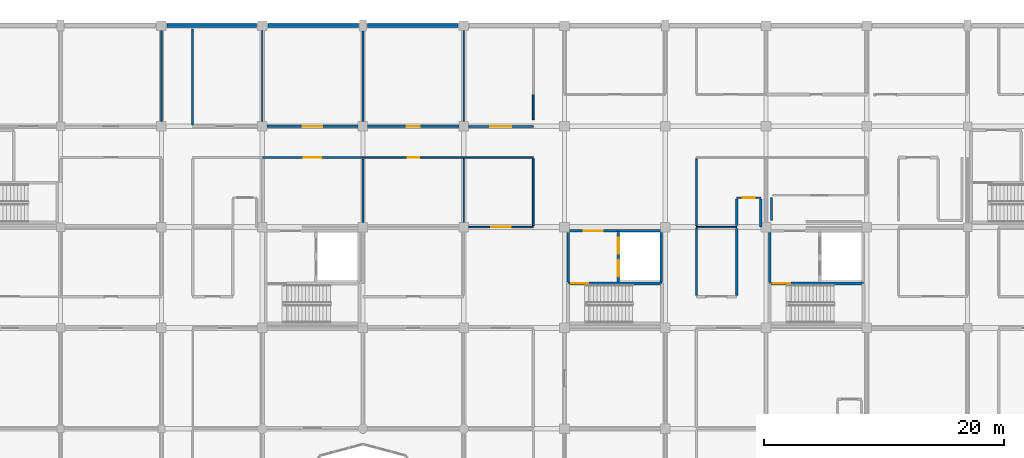
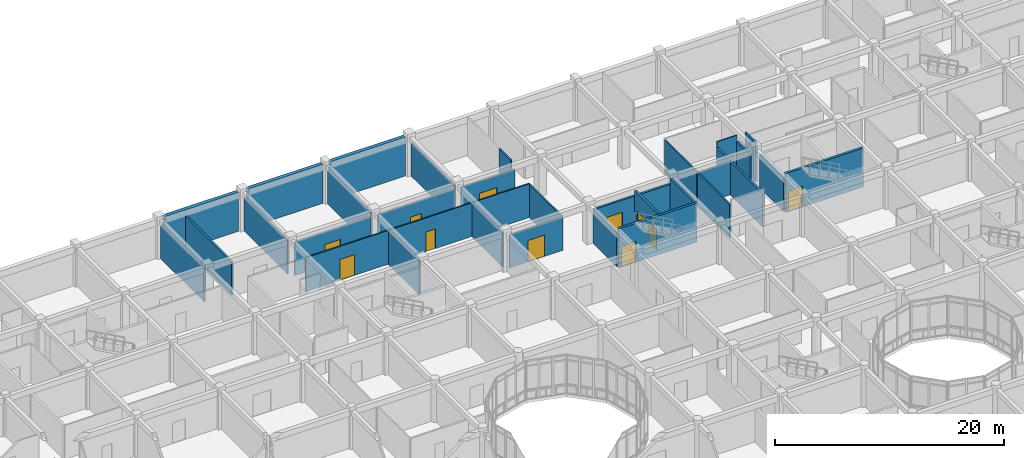
# One storey, part 114 of 144: 35 walls, 12 doors, 12 openings.
"""IFC4 building model written with IfcOpenShell, lengths in metres."""

from ifc_helpers import new_model, si_unit, direction, frame, frame_2d, origin, place, context, subcontext, project, spatial, rectangle, extrude, material, layer, layer_set, type_object, element, fill, save


model = new_model("IFC4")

# Units and contexts
model_context = context("Model", 3, precision=1e-05, world=origin(), true_north=direction((0.0, 1.0)))
body_context = subcontext(model_context, "Body", "Model", "MODEL_VIEW")
ifc_project = project(units=[si_unit("LENGTHUNIT", "METRE"), si_unit("AREAUNIT", "SQUARE_METRE"), si_unit("VOLUMEUNIT", "CUBIC_METRE"), si_unit("PLANEANGLEUNIT", "RADIAN"), si_unit("MASSUNIT", "GRAM", prefix="KILO")], contexts=[model_context])

# Site, building, storey
site_placement = place(None, origin())
site = spatial("IfcSite", under=ifc_project, at=site_placement, CompositionType="ELEMENT")
building_placement = place(site_placement, origin())
building = spatial("IfcBuilding", under=site, at=building_placement, Name="Bramfleet General Hospital", CompositionType="ELEMENT")
storey_placement = place(building_placement, frame((0.0, 0.0, 4.800048828125)))
storey = spatial("IfcBuildingStorey", under=building, at=storey_placement, Name="L01", CompositionType="ELEMENT", Elevation=4.800048828125)

# Walls
ifc_material_1 = material(Name="Concrete C35/45", Category="concrete")
ifc_layer_1 = layer(ifc_material_1, 0.360107421875, Name="WT-EW-02")
ifc_layer_set_1 = layer_set([ifc_layer_1], Name="Concrete C35/45")
wall_type_1 = type_object("IfcWallType", Name="WT-EW-02", PredefinedType="SOLIDWALL", material=ifc_layer_set_1)
wall_1_placement = place(storey_placement, frame((67.675048828125, 117.60009765625, 0.0), z_axis=(0.0, 0.0, 1.0), x_axis=(1.0, 0.0, 0.0)))
element("IfcWall", 1, at=wall_1_placement, inside=storey, type_object=wall_type_1, Name="L01 North REI 90-M Party Wall 164", PredefinedType="SOLIDWALL", context=body_context, shape_type="SweptSolid", body=[
    extrude(rectangle(XDim=7.449951171875, YDim=0.360107421875, at=frame_2d((3.72509765625, 0.0))), origin(), (0.0, 0.0, 1.0), 4.14990234375),
])
for number, where, z_axis, x_axis, name in (
    (2, (76.074951171875, 117.60009765625, 0.0), (0.0, 0.0, 1.0), (1.0, 0.0, 0.0), "L01 North REI 90-M Party Wall 165"),
    (3, (84.375, 117.60009765625, 0.0), (0.0, 0.0, 1.0), (1.0, 0.0, 0.0), "L01 North REI 90-M Party Wall 166"),
):
    element("IfcWall", number, at=place(storey_placement, frame(where, z_axis=z_axis, x_axis=x_axis)), inside=storey, type_object=wall_type_1, Name=name, PredefinedType="SOLIDWALL", context=body_context, shape_type="SweptSolid", body=[
        extrude(rectangle(XDim=7.550048828125, YDim=0.360107421875, at=frame_2d((3.77490234375, 0.0))), origin(), (0.0, 0.0, 1.0), 4.14990234375),
    ])
ifc_layer_2 = layer(ifc_material_1, 0.219970703125, Name="WT-IW-01")
ifc_layer_set_2 = layer_set([ifc_layer_2], Name="Concrete C35/45")
wall_type_2 = type_object("IfcWallType", Name="WT-IW-01", PredefinedType="PARTITIONING", material=ifc_layer_set_2)
wall_2_placement = place(storey_placement, frame((115.14990234375, 95.114990234375, 0.0), z_axis=(0.0, 0.0, 1.0), x_axis=(0.0, 1.0, 0.0)))
element("IfcWall", 4, at=wall_2_placement, inside=storey, type_object=wall_type_2, Name="L01 Interior Partition IW-L01-1837", PredefinedType="PARTITIONING", context=body_context, shape_type="SweptSolid", body=[
    extrude(rectangle(XDim=5.570068359375, YDim=0.219970703125, at=frame_2d((2.78515625, 0.0))), origin(), (0.0, 0.0, 1.0), 3.5400390625),
])

# Wall, openings, doors
ifc_layer_3 = layer(ifc_material_1, 0.205078125, Name="WT-IW-02")
ifc_layer_set_3 = layer_set([ifc_layer_3], Name="Concrete C35/45")
wall_type_3 = type_object("IfcWallType", Name="WT-IW-02", PredefinedType="PARTITIONING", material=ifc_layer_set_3)
wall_3_placement = place(storey_placement, frame((105.280029296875, 96.239990234375, 0.0), z_axis=(0.0, 0.0, 1.0), x_axis=(0.0, 1.0, 0.0)))
wall_3 = element("IfcWall", 5, at=wall_3_placement, inside=storey, type_object=wall_type_3, Name="L01 C4 Lobby East Shaft Wall", PredefinedType="PARTITIONING", context=body_context, shape_type="SweptSolid", body=[
    extrude(rectangle(XDim=4.1201171875, YDim=0.205078125, at=frame_2d((2.06005859375, 0.0))), origin(), (0.0, 0.0, 1.0), 4.139892578125),
])
opening_1_placement = place(wall_3_placement, frame((0.445068359375, 0.0, 0.0)))
opening_1 = element("IfcOpeningElement", 6, at=opening_1_placement, cuts=wall_3, Name="Opening LD-FL-02-L01", PredefinedType="OPENING", context=body_context, shape_type="SweptSolid", body=[
    extrude(rectangle(XDim=1.35009765625, YDim=2.199951171875, at=frame_2d((0.675048828125, 1.10009765625))), frame((0.0, 0.112548828125, 0.0), z_axis=(0.0, -1.0, 0.0), x_axis=(1.0, 0.0, 0.0)), (0.0, 0.0, 1.0), 0.22509765625),
])
opening_2_placement = place(wall_3_placement, frame((2.324951171875, 0.0, 0.0)))
opening_2 = element("IfcOpeningElement", 7, at=opening_2_placement, cuts=wall_3, Name="Opening LD-BL-04-L01", PredefinedType="OPENING", context=body_context, shape_type="SweptSolid", body=[
    extrude(rectangle(XDim=1.35009765625, YDim=2.199951171875, at=frame_2d((0.675048828125, 1.10009765625))), frame((0.0, 0.112548828125, 0.0), z_axis=(0.0, -1.0, 0.0), x_axis=(1.0, 0.0, 0.0)), (0.0, 0.0, 1.0), 0.22509765625),
])
ifc_material_2 = material(Name="Brushed stainless steel 1.4301", Category="steel")
door_type_1 = type_object("IfcDoorType", Name="DR-LD-01", OperationType="NOTDEFINED", PredefinedType="DOOR", material=ifc_material_2)
door_1_placement = place(opening_1_placement, origin())
door_1 = element("IfcDoor", 8, at=door_1_placement, inside=storey, type_object=door_type_1, Name="L01 Lift FL-02 Sliding Landing Door", OperationType="SLIDING_TO_LEFT", OverallHeight=2.199951171875, OverallWidth=1.35009765625, PredefinedType="DOOR", context=body_context, shape_type="SweptSolid", body=[
    extrude(rectangle(XDim=1.35009765625, YDim=2.199951171875, at=frame_2d((0.675048828125, 1.10009765625))), frame((0.0, 0.02490234375, 0.0), z_axis=(0.0, -1.0, 0.0), x_axis=(1.0, 0.0, 0.0)), (0.0, 0.0, 1.0), 0.050048828125),
])
fill(opening_1, door_1)
door_2_placement = place(opening_2_placement, origin())
door_2 = element("IfcDoor", 9, at=door_2_placement, inside=storey, type_object=door_type_1, Name="L01 Lift BL-04 Sliding Landing Door", OperationType="SLIDING_TO_LEFT", OverallHeight=2.199951171875, OverallWidth=1.35009765625, PredefinedType="DOOR", context=body_context, shape_type="SweptSolid", body=[
    extrude(rectangle(XDim=1.35009765625, YDim=2.199951171875, at=frame_2d((0.675048828125, 1.10009765625))), frame((0.0, 0.02490234375, 0.0), z_axis=(0.0, -1.0, 0.0), x_axis=(1.0, 0.0, 0.0)), (0.0, 0.0, 1.0), 0.050048828125),
])
fill(opening_2, door_2)

# Walls
wall_4_placement = place(storey_placement, frame((108.85009765625, 96.239990234375, 0.0), z_axis=(0.0, 0.0, 1.0), x_axis=(0.0, 1.0, 0.0)))
element("IfcWall", 10, at=wall_4_placement, inside=storey, type_object=wall_type_3, Name="L01 C4 Lift Shaft East Wall", PredefinedType="PARTITIONING", context=body_context, shape_type="SweptSolid", body=[
    extrude(rectangle(XDim=4.1201171875, YDim=0.205078125, at=frame_2d((2.06005859375, 0.0))), origin(), (0.0, 0.0, 1.0), 4.139892578125),
])
wall_5_placement = place(storey_placement, frame((105.280029296875, 100.47998046875, 0.0), z_axis=(0.0, 0.0, 1.0), x_axis=(1.0, 0.0, 0.0)))
element("IfcWall", 11, at=wall_5_placement, inside=storey, type_object=wall_type_3, Name="L01 C4 Lift Shaft North Wall", PredefinedType="PARTITIONING", context=body_context, shape_type="SweptSolid", body=[
    extrude(rectangle(XDim=3.570068359375, YDim=0.205078125, at=frame_2d((1.78515625, 0.0))), origin(), (0.0, 0.0, 1.0), 3.5400390625),
])
wall_6_placement = place(storey_placement, frame((101.10009765625, 96.239990234375, 0.0), z_axis=(0.0, 0.0, 1.0), x_axis=(0.0, 1.0, 0.0)))
element("IfcWall", 12, at=wall_6_placement, inside=storey, type_object=wall_type_3, Name="L01 C4 Lobby West Compartment Wall", PredefinedType="PARTITIONING", context=body_context, shape_type="SweptSolid", body=[
    extrude(rectangle(XDim=4.1201171875, YDim=0.205078125, at=frame_2d((2.06005859375, 0.0))), origin(), (0.0, 0.0, 1.0), 3.58984375),
])

# Wall, opening, door
wall_7_placement = place(storey_placement, frame((101.10009765625, 100.47998046875, 0.0), z_axis=(0.0, 0.0, 1.0), x_axis=(1.0, 0.0, 0.0)))
wall_7 = element("IfcWall", 13, at=wall_7_placement, inside=storey, type_object=wall_type_3, Name="L01 C4 Lobby North Compartment Wall", PredefinedType="PARTITIONING", context=body_context, shape_type="SweptSolid", body=[
    extrude(rectangle(XDim=4.179931640625, YDim=0.205078125, at=frame_2d((2.08984375, 0.0))), origin(), (0.0, 0.0, 1.0), 3.5400390625),
])
opening_3_placement = place(wall_7_placement, frame((1.2900390625, 0.0, 0.0)))
opening_3 = element("IfcOpeningElement", 14, at=opening_3_placement, cuts=wall_7, Name="Opening D0042", PredefinedType="OPENING", context=body_context, shape_type="SweptSolid", body=[
    extrude(rectangle(XDim=1.60009765625, YDim=2.25, at=frame_2d((0.800048828125, 1.125))), frame((0.0, 0.112548828125, 0.0), z_axis=(0.0, -1.0, 0.0), x_axis=(1.0, 0.0, 0.0)), (0.0, 0.0, 1.0), 0.22509765625),
])
ifc_material_3 = material(Name="Stainless steel and acoustic timber leaf", Category="steel")
door_type_2 = type_object("IfcDoorType", Name="DR-D-04", OperationType="NOTDEFINED", PredefinedType="DOOR", material=ifc_material_3)
door_3_placement = place(opening_3_placement, origin())
door_3 = element("IfcDoor", 15, at=door_3_placement, inside=storey, type_object=door_type_2, Name="L01 C4 Lobby Fire Door D0042", OperationType="DOUBLE_SWING_LEFT", OverallHeight=2.25, OverallWidth=1.60009765625, PredefinedType="DOOR", context=body_context, shape_type="SweptSolid", body=[
    extrude(rectangle(XDim=1.60009765625, YDim=2.25, at=frame_2d((0.800048828125, 1.125))), frame((0.0, 0.02490234375, 0.0), z_axis=(0.0, -1.0, 0.0), x_axis=(1.0, 0.0, 0.0)), (0.0, 0.0, 1.0), 0.050048828125),
])
fill(opening_3, door_3)

# Wall
wall_8_placement = place(storey_placement, frame((117.89990234375, 96.239990234375, 0.0), z_axis=(0.0, 0.0, 1.0), x_axis=(0.0, 1.0, 0.0)))
element("IfcWall", 16, at=wall_8_placement, inside=storey, type_object=wall_type_3, Name="L01 C6 Lobby West Compartment Wall", PredefinedType="PARTITIONING", context=body_context, shape_type="SweptSolid", body=[
    extrude(rectangle(XDim=4.1201171875, YDim=0.205078125, at=frame_2d((2.06005859375, 0.0))), origin(), (0.0, 0.0, 1.0), 3.58984375),
])

# Wall, opening, door
wall_9_placement = place(storey_placement, frame((75.9951171875, 109.199951171875, 0.0), z_axis=(0.0, 0.0, 1.0), x_axis=(1.0, 0.0, 0.0)))
wall_9 = element("IfcWall", 17, at=wall_9_placement, inside=storey, type_object=wall_type_3, Name="L01 Interior Partition IW-L01-1562", PredefinedType="PARTITIONING", context=body_context, shape_type="SweptSolid", body=[
    extrude(rectangle(XDim=7.60986328125, YDim=0.205078125, at=frame_2d((3.804931640625, 0.0))), origin(), (0.0, 0.0, 1.0), 3.5400390625),
])
opening_4_placement = place(wall_9_placement, frame((3.0048828125, 0.0, 0.0)))
opening_4 = element("IfcOpeningElement", 18, at=opening_4_placement, cuts=wall_9, Name="Opening D0740", PredefinedType="OPENING", context=body_context, shape_type="SweptSolid", body=[
    extrude(rectangle(XDim=1.60009765625, YDim=2.25, at=frame_2d((0.800048828125, 1.125))), frame((0.0, 0.112548828125, 0.0), z_axis=(0.0, -1.0, 0.0), x_axis=(1.0, 0.0, 0.0)), (0.0, 0.0, 1.0), 0.22509765625),
])
door_4_placement = place(opening_4_placement, origin())
door_4 = element("IfcDoor", 19, at=door_4_placement, inside=storey, type_object=door_type_2, Name="Pathology and Clinical Laboratory L01-0913A Door D0740", OperationType="DOUBLE_SWING_LEFT", OverallHeight=2.25, OverallWidth=1.60009765625, PredefinedType="DOOR", context=body_context, shape_type="SweptSolid", body=[
    extrude(rectangle(XDim=1.60009765625, YDim=2.25, at=frame_2d((0.800048828125, 1.125))), frame((0.0, 0.02490234375, 0.0), z_axis=(0.0, -1.0, 0.0), x_axis=(1.0, 0.0, 0.0)), (0.0, 0.0, 1.0), 0.050048828125),
])
fill(opening_4, door_4)

# Wall
wall_10_placement = place(storey_placement, frame((115.14990234375, 100.9150390625, 0.0), z_axis=(0.0, 0.0, 1.0), x_axis=(0.0, 1.0, 0.0)))
element("IfcWall", 20, at=wall_10_placement, inside=storey, type_object=wall_type_3, Name="L01 Interior Partition IW-L01-1838", PredefinedType="PARTITIONING", context=body_context, shape_type="SweptSolid", body=[
    extrude(rectangle(XDim=2.219970703125, YDim=0.205078125, at=frame_2d((1.10986328125, 0.0))), origin(), (0.0, 0.0, 1.0), 3.5400390625),
])

# Wall, opening, door
ifc_layer_4 = layer(ifc_material_1, 0.18994140625, Name="WT-IW-03")
ifc_layer_set_4 = layer_set([ifc_layer_4], Name="Concrete C35/45")
wall_type_4 = type_object("IfcWallType", Name="WT-IW-03", PredefinedType="PARTITIONING", material=ifc_layer_set_4)
wall_11_placement = place(storey_placement, frame((84.39501953125, 109.199951171875, 0.0), z_axis=(0.0, 0.0, 1.0), x_axis=(1.0, 0.0, 0.0)))
wall_11 = element("IfcWall", 21, at=wall_11_placement, inside=storey, type_object=wall_type_4, Name="L01 Interior Partition IW-L01-1563", PredefinedType="PARTITIONING", context=body_context, shape_type="SweptSolid", body=[
    extrude(rectangle(XDim=7.60986328125, YDim=0.18994140625, at=frame_2d((3.804931640625, 0.0))), origin(), (0.0, 0.0, 1.0), 3.5400390625),
])
opening_5_placement = place(wall_11_placement, frame((3.2548828125, 0.0, 0.0)))
opening_5 = element("IfcOpeningElement", 22, at=opening_5_placement, cuts=wall_11, Name="Opening D0747", PredefinedType="OPENING", context=body_context, shape_type="SweptSolid", body=[
    extrude(rectangle(XDim=1.10009765625, YDim=2.14990234375, at=frame_2d((0.550048828125, 1.074951171875))), frame((0.0, 0.10498046875, 0.0), z_axis=(0.0, -1.0, 0.0), x_axis=(1.0, 0.0, 0.0)), (0.0, 0.0, 1.0), 0.2099609375),
])
door_type_3 = type_object("IfcDoorType", Name="DR-D-11", OperationType="NOTDEFINED", PredefinedType="DOOR", material=ifc_material_3)
door_5_placement = place(opening_5_placement, origin())
door_5 = element("IfcDoor", 23, at=door_5_placement, inside=storey, type_object=door_type_3, Name="Pathology and Clinical Laboratory L01-1013A Door D0747", OperationType="SINGLE_SWING_RIGHT", OverallHeight=2.14990234375, OverallWidth=1.10009765625, PredefinedType="DOOR", context=body_context, shape_type="SweptSolid", body=[
    extrude(rectangle(XDim=1.10009765625, YDim=2.14990234375, at=frame_2d((0.550048828125, 1.074951171875))), frame((0.0, 0.02490234375, 0.0), z_axis=(0.0, -1.0, 0.0), x_axis=(1.0, 0.0, 0.0)), (0.0, 0.0, 1.0), 0.050048828125),
])
fill(opening_5, door_5)

# Walls
wall_12_placement = place(storey_placement, frame((69.800048828125, 109.31494140625, 0.0), z_axis=(0.0, 0.0, 1.0), x_axis=(0.0, 1.0, 0.0)))
element("IfcWall", 24, at=wall_12_placement, inside=storey, type_object=wall_type_4, Name="L01 Interior Partition IW-L01-1779", PredefinedType="PARTITIONING", context=body_context, shape_type="SweptSolid", body=[
    extrude(rectangle(XDim=8.005126953125, YDim=0.18994140625, at=frame_2d((4.00244140625, 0.0))), origin(), (0.0, 0.0, 1.0), 3.5400390625),
])
wall_13_placement = place(storey_placement, frame((117.14990234375, 100.800048828125, 0.0), z_axis=(0.0, 0.0, 1.0), x_axis=(0.0, 1.0, 0.0)))
element("IfcWall", 25, at=wall_13_placement, inside=storey, type_object=wall_type_4, Name="L01 Interior Partition IW-L01-1839", PredefinedType="PARTITIONING", context=body_context, shape_type="SweptSolid", body=[
    extrude(rectangle(XDim=2.3349609375, YDim=0.18994140625, at=frame_2d((1.16748046875, 0.0))), origin(), (0.0, 0.0, 1.0), 3.5400390625),
])

# Wall, opening, door
ifc_layer_5 = layer(ifc_material_1, 0.179931640625, Name="WT-IW-04")
ifc_layer_set_5 = layer_set([ifc_layer_5], Name="Concrete C35/45")
wall_type_5 = type_object("IfcWallType", Name="WT-IW-04", PredefinedType="PARTITIONING", material=ifc_layer_set_5)
wall_14_placement = place(storey_placement, frame((92.794921875, 109.199951171875, 0.0), z_axis=(0.0, 0.0, 1.0), x_axis=(1.0, 0.0, 0.0)))
wall_14 = element("IfcWall", 26, at=wall_14_placement, inside=storey, type_object=wall_type_5, Name="L01 Interior Partition IW-L01-1564", PredefinedType="PARTITIONING", context=body_context, shape_type="SweptSolid", body=[
    extrude(rectangle(XDim=5.405029296875, YDim=0.179931640625, at=frame_2d((2.70263671875, 0.0))), origin(), (0.0, 0.0, 1.0), 3.5400390625),
])
opening_6_placement = place(wall_14_placement, frame((1.83251953125, 0.0, 0.0)))
opening_6 = element("IfcOpeningElement", 27, at=opening_6_placement, cuts=wall_14, Name="Opening D0755", PredefinedType="OPENING", context=body_context, shape_type="SweptSolid", body=[
    extrude(rectangle(XDim=1.739990234375, YDim=2.239990234375, at=frame_2d((0.8701171875, 1.1201171875))), frame((0.0, 0.099853515625, 0.0), z_axis=(0.0, -1.0, 0.0), x_axis=(1.0, 0.0, 0.0)), (0.0, 0.0, 1.0), 0.199951171875),
])
door_type_4 = type_object("IfcDoorType", Name="DR-D-19", OperationType="NOTDEFINED", PredefinedType="DOOR", material=ifc_material_3)
door_6_placement = place(opening_6_placement, origin())
door_6 = element("IfcDoor", 28, at=door_6_placement, inside=storey, type_object=door_type_4, Name="Pathology and Clinical Laboratory L01-1113A Door D0755", OperationType="DOUBLE_SWING_RIGHT", OverallHeight=2.239990234375, OverallWidth=1.739990234375, PredefinedType="DOOR", context=body_context, shape_type="SweptSolid", body=[
    extrude(rectangle(XDim=1.739990234375, YDim=2.239990234375, at=frame_2d((0.8701171875, 1.1201171875))), frame((0.0, 0.02490234375, 0.0), z_axis=(0.0, -1.0, 0.0), x_axis=(1.0, 0.0, 0.0)), (0.0, 0.0, 1.0), 0.050048828125),
])
fill(opening_6, door_6)

# Walls
wall_15_placement = place(storey_placement, frame((84.0, 101.195068359375, 0.0), z_axis=(0.0, 0.0, 1.0), x_axis=(0.0, 1.0, 0.0)))
element("IfcWall", 29, at=wall_15_placement, inside=storey, type_object=wall_type_5, Name="L01 Interior Partition IW-L01-1792", PredefinedType="PARTITIONING", context=body_context, shape_type="SweptSolid", body=[
    extrude(rectangle(XDim=5.2900390625, YDim=0.179931640625, at=frame_2d((2.64501953125, 0.0))), origin(), (0.0, 0.0, 1.0), 3.58984375),
])
wall_16_placement = place(storey_placement, frame((118.050048828125, 101.364990234375, 0.0), z_axis=(0.0, 0.0, 1.0), x_axis=(0.0, 1.0, 0.0)))
element("IfcWall", 30, at=wall_16_placement, inside=storey, type_object=wall_type_5, Name="L01 Interior Partition IW-L01-1852", PredefinedType="PARTITIONING", context=body_context, shape_type="SweptSolid", body=[
    extrude(rectangle(XDim=1.885009765625, YDim=0.179931640625, at=frame_2d((0.9423828125, 0.0))), origin(), (0.0, 0.0, 1.0), 4.139892578125),
])
ifc_material_4 = material(Name="Gypsum plasterboard on acoustic steel studs", Category="steel")
ifc_layer_6 = layer(ifc_material_4, 0.169921875, Name="WT-IW-05")
ifc_layer_set_6 = layer_set([ifc_layer_6], Name="Gypsum plasterboard on acoustic steel studs")
wall_type_6 = type_object("IfcWallType", Name="WT-IW-05", PredefinedType="PARTITIONING", material=ifc_layer_set_6)
wall_17_placement = place(storey_placement, frame((84.0, 109.594970703125, 0.0), z_axis=(0.0, 0.0, 1.0), x_axis=(0.0, 1.0, 0.0)))
element("IfcWall", 31, at=wall_17_placement, inside=storey, type_object=wall_type_6, Name="L01 Interior Partition IW-L01-1793", PredefinedType="PARTITIONING", context=body_context, shape_type="SweptSolid", body=[
    extrude(rectangle(XDim=7.56005859375, YDim=0.169921875, at=frame_2d((3.780029296875, 0.0))), origin(), (0.0, 0.0, 1.0), 3.58984375),
])
ifc_layer_7 = layer(ifc_material_4, 0.14990234375, Name="WT-IW-07")
ifc_layer_set_7 = layer_set([ifc_layer_7], Name="Gypsum plasterboard on acoustic steel studs")
wall_type_7 = type_object("IfcWallType", Name="WT-IW-07", PredefinedType="PARTITIONING", material=ifc_layer_set_7)
for number, where, z_axis, x_axis, name in (
    (32, (98.199951171875, 100.9150390625, 0.0), (0.0, 0.0, 1.0), (0.0, 1.0, 0.0), "L01 Interior Partition IW-L01-1807"),
    (33, (111.800048828125, 95.114990234375, 0.0), (0.0, 0.0, 1.0), (0.0, 1.0, 0.0), "L01 Interior Partition IW-L01-1831"),
):
    element("IfcWall", number, at=place(storey_placement, frame(where, z_axis=z_axis, x_axis=x_axis)), inside=storey, type_object=wall_type_7, Name=name, PredefinedType="PARTITIONING", context=body_context, shape_type="SweptSolid", body=[
        extrude(rectangle(XDim=5.570068359375, YDim=0.14990234375, at=frame_2d((2.78515625, 0.0))), origin(), (0.0, 0.0, 1.0), 3.5400390625),
    ])

# Wall, opening, door
ifc_layer_8 = layer(ifc_material_4, 0.139892578125, Name="WT-IW-08")
ifc_layer_set_8 = layer_set([ifc_layer_8], Name="Gypsum plasterboard on acoustic steel studs")
wall_type_8 = type_object("IfcWallType", Name="WT-IW-08", PredefinedType="PARTITIONING", material=ifc_layer_set_8)
wall_18_placement = place(storey_placement, frame((75.60009765625, 106.60009765625, 0.0), z_axis=(0.0, 0.0, 1.0), x_axis=(1.0, 0.0, 0.0)))
wall_18 = element("IfcWall", 34, at=wall_18_placement, inside=storey, type_object=wall_type_8, Name="L01 Interior Partition IW-L01-1544", PredefinedType="PARTITIONING", context=body_context, shape_type="SweptSolid", body=[
    extrude(rectangle(XDim=8.39990234375, YDim=0.139892578125, at=frame_2d((4.199951171875, 0.0))), origin(), (0.0, 0.0, 1.0), 3.58984375),
])
opening_7_placement = place(wall_18_placement, frame((3.47509765625, 0.0, 0.0)))
opening_7 = element("IfcOpeningElement", 35, at=opening_7_placement, cuts=wall_18, Name="Opening D0739", PredefinedType="OPENING", context=body_context, shape_type="SweptSolid", body=[
    extrude(rectangle(XDim=1.449951171875, YDim=2.199951171875, at=frame_2d((0.72509765625, 1.10009765625))), frame((0.0, 0.079833984375, 0.0), z_axis=(0.0, -1.0, 0.0), x_axis=(1.0, 0.0, 0.0)), (0.0, 0.0, 1.0), 0.159912109375),
])
door_type_5 = type_object("IfcDoorType", Name="DR-D-03", OperationType="NOTDEFINED", PredefinedType="DOOR", material=ifc_material_3)
door_7_placement = place(opening_7_placement, origin())
door_7 = element("IfcDoor", 36, at=door_7_placement, inside=storey, type_object=door_type_5, Name="Pathology and Clinical Laboratory L01-0912A Door D0739", OperationType="SINGLE_SWING_RIGHT", OverallHeight=2.199951171875, OverallWidth=1.449951171875, PredefinedType="DOOR", context=body_context, shape_type="SweptSolid", body=[
    extrude(rectangle(XDim=1.449951171875, YDim=2.199951171875, at=frame_2d((0.72509765625, 1.10009765625))), frame((0.0, 0.02490234375, 0.0), z_axis=(0.0, -1.0, 0.0), x_axis=(1.0, 0.0, 0.0)), (0.0, 0.0, 1.0), 0.050048828125),
])
fill(opening_7, door_7)

# Walls
wall_19_placement = place(storey_placement, frame((67.199951171875, 109.594970703125, 0.0), z_axis=(0.0, 0.0, 1.0), x_axis=(0.0, 1.0, 0.0)))
element("IfcWall", 37, at=wall_19_placement, inside=storey, type_object=wall_type_8, Name="L01 Interior Partition IW-L01-1772", PredefinedType="PARTITIONING", context=body_context, shape_type="SweptSolid", body=[
    extrude(rectangle(XDim=7.610107421875, YDim=0.139892578125, at=frame_2d((3.80517578125, 0.0))), origin(), (0.0, 0.0, 1.0), 3.58984375),
])
wall_20_placement = place(storey_placement, frame((98.199951171875, 109.75, 0.0), z_axis=(0.0, 0.0, 1.0), x_axis=(0.0, 1.0, 0.0)))
element("IfcWall", 38, at=wall_20_placement, inside=storey, type_object=wall_type_8, Name="L01 Interior Partition IW-L01-1808", PredefinedType="PARTITIONING", context=body_context, shape_type="SweptSolid", body=[
    extrude(rectangle(XDim=2.10009765625, YDim=0.139892578125, at=frame_2d((1.050048828125, 0.0))), origin(), (0.0, 0.0, 1.0), 4.139892578125),
])
wall_21_placement = place(storey_placement, frame((111.800048828125, 100.9150390625, 0.0), z_axis=(0.0, 0.0, 1.0), x_axis=(0.0, 1.0, 0.0)))
element("IfcWall", 39, at=wall_21_placement, inside=storey, type_object=wall_type_8, Name="L01 Interior Partition IW-L01-1832", PredefinedType="PARTITIONING", context=body_context, shape_type="SweptSolid", body=[
    extrude(rectangle(XDim=5.570068359375, YDim=0.139892578125, at=frame_2d((2.78515625, 0.0))), origin(), (0.0, 0.0, 1.0), 3.5400390625),
])

# Wall, opening, door
ifc_layer_9 = layer(ifc_material_4, 0.1298828125, Name="WT-IW-09")
ifc_layer_set_9 = layer_set([ifc_layer_9], Name="Gypsum plasterboard on acoustic steel studs")
wall_type_9 = type_object("IfcWallType", Name="WT-IW-09", PredefinedType="PARTITIONING", material=ifc_layer_set_9)
wall_22_placement = place(storey_placement, frame((84.0, 106.60009765625, 0.0), z_axis=(0.0, 0.0, 1.0), x_axis=(1.0, 0.0, 0.0)))
wall_22 = element("IfcWall", 40, at=wall_22_placement, inside=storey, type_object=wall_type_9, Name="L01 Interior Partition IW-L01-1545", PredefinedType="PARTITIONING", context=body_context, shape_type="SweptSolid", body=[
    extrude(rectangle(XDim=8.39990234375, YDim=0.1298828125, at=frame_2d((4.199951171875, 0.0))), origin(), (0.0, 0.0, 1.0), 3.58984375),
])
opening_8_placement = place(wall_22_placement, frame((3.72509765625, 0.0, 0.0)))
opening_8 = element("IfcOpeningElement", 41, at=opening_8_placement, cuts=wall_22, Name="Opening D0746", PredefinedType="OPENING", context=body_context, shape_type="SweptSolid", body=[
    extrude(rectangle(XDim=0.949951171875, YDim=2.10009765625, at=frame_2d((0.47509765625, 1.050048828125))), frame((0.0, 0.074951171875, 0.0), z_axis=(0.0, -1.0, 0.0), x_axis=(1.0, 0.0, 0.0)), (0.0, 0.0, 1.0), 0.14990234375),
])
door_type_6 = type_object("IfcDoorType", Name="DR-D-10", OperationType="NOTDEFINED", PredefinedType="DOOR", material=ifc_material_3)
door_8_placement = place(opening_8_placement, origin())
door_8 = element("IfcDoor", 42, at=door_8_placement, inside=storey, type_object=door_type_6, Name="Pathology and Clinical Laboratory L01-1012A Door D0746", OperationType="SINGLE_SWING_LEFT", OverallHeight=2.10009765625, OverallWidth=0.949951171875, PredefinedType="DOOR", context=body_context, shape_type="SweptSolid", body=[
    extrude(rectangle(XDim=0.949951171875, YDim=2.10009765625, at=frame_2d((0.47509765625, 1.050048828125))), frame((0.0, 0.02490234375, 0.0), z_axis=(0.0, -1.0, 0.0), x_axis=(1.0, 0.0, 0.0)), (0.0, 0.0, 1.0), 0.050048828125),
])
fill(opening_8, door_8)

ifc_layer_10 = layer(ifc_material_4, 0.1201171875, Name="WT-IW-10")
ifc_layer_set_10 = layer_set([ifc_layer_10], Name="Gypsum plasterboard on acoustic steel studs")
wall_type_10 = type_object("IfcWallType", Name="WT-IW-10", PredefinedType="PARTITIONING", material=ifc_layer_set_10)
wall_23_placement = place(storey_placement, frame((92.794921875, 100.800048828125, 0.0), z_axis=(0.0, 0.0, 1.0), x_axis=(1.0, 0.0, 0.0)))
wall_23 = element("IfcWall", 43, at=wall_23_placement, inside=storey, type_object=wall_type_10, Name="L01 Interior Partition IW-L01-1522", PredefinedType="PARTITIONING", context=body_context, shape_type="SweptSolid", body=[
    extrude(rectangle(XDim=5.405029296875, YDim=0.1201171875, at=frame_2d((2.70263671875, 0.0))), origin(), (0.0, 0.0, 1.0), 3.5400390625),
])
opening_9_placement = place(wall_23_placement, frame((1.882568359375, 0.0, 0.0)))
opening_9 = element("IfcOpeningElement", 44, at=opening_9_placement, cuts=wall_23, Name="Opening D0754", PredefinedType="OPENING", context=body_context, shape_type="SweptSolid", body=[
    extrude(rectangle(XDim=1.639892578125, YDim=2.280029296875, at=frame_2d((0.81982421875, 1.14013671875))), frame((0.0, 0.070068359375, 0.0), z_axis=(0.0, -1.0, 0.0), x_axis=(1.0, 0.0, 0.0)), (0.0, 0.0, 1.0), 0.14013671875),
])
door_type_7 = type_object("IfcDoorType", Name="DR-D-18", OperationType="NOTDEFINED", PredefinedType="DOOR", material=ifc_material_3)
door_9_placement = place(opening_9_placement, origin())
door_9 = element("IfcDoor", 45, at=door_9_placement, inside=storey, type_object=door_type_7, Name="Pathology and Clinical Laboratory L01-1112A Door D0754", OperationType="DOUBLE_SWING_LEFT", OverallHeight=2.280029296875, OverallWidth=1.639892578125, PredefinedType="DOOR", context=body_context, shape_type="SweptSolid", body=[
    extrude(rectangle(XDim=1.639892578125, YDim=2.280029296875, at=frame_2d((0.81982421875, 1.14013671875))), frame((0.0, 0.02490234375, 0.0), z_axis=(0.0, -1.0, 0.0), x_axis=(1.0, 0.0, 0.0)), (0.0, 0.0, 1.0), 0.050048828125),
])
fill(opening_9, door_9)

# Walls
wall_24_placement = place(storey_placement, frame((92.39990234375, 106.60009765625, 0.0), z_axis=(0.0, 0.0, 1.0), x_axis=(1.0, 0.0, 0.0)))
element("IfcWall", 46, at=wall_24_placement, inside=storey, type_object=wall_type_10, Name="L01 Interior Partition IW-L01-1546", PredefinedType="PARTITIONING", context=body_context, shape_type="SweptSolid", body=[
    extrude(rectangle(XDim=5.800048828125, YDim=0.1201171875, at=frame_2d((2.89990234375, 0.0))), origin(), (0.0, 0.0, 1.0), 3.58984375),
])
ifc_layer_11 = layer(ifc_material_4, 0.112060546875, Name="WT-IW-11")
ifc_layer_set_11 = layer_set([ifc_layer_11], Name="Gypsum plasterboard on acoustic steel studs")
wall_type_11 = type_object("IfcWallType", Name="WT-IW-11", PredefinedType="PARTITIONING", material=ifc_layer_set_11)
wall_25_placement = place(storey_placement, frame((111.800048828125, 100.800048828125, 0.0), z_axis=(0.0, 0.0, 1.0), x_axis=(1.0, 0.0, 0.0)))
element("IfcWall", 47, at=wall_25_placement, inside=storey, type_object=wall_type_11, Name="L01 Interior Partition IW-L01-1523", PredefinedType="PARTITIONING", context=body_context, shape_type="SweptSolid", body=[
    extrude(rectangle(XDim=3.349853515625, YDim=0.112060546875, at=frame_2d((1.6748046875, 0.0))), origin(), (0.0, 0.0, 1.0), 3.5400390625),
])

# Wall, opening, door
wall_26_placement = place(storey_placement, frame((115.14990234375, 103.25, 0.0), z_axis=(0.0, 0.0, 1.0), x_axis=(1.0, 0.0, 0.0)))
wall_26 = element("IfcWall", 48, at=wall_26_placement, inside=storey, type_object=wall_type_11, Name="L01 Interior Partition IW-L01-1535", PredefinedType="PARTITIONING", context=body_context, shape_type="SweptSolid", body=[
    extrude(rectangle(XDim=2.0, YDim=0.112060546875, at=frame_2d((1.0, 0.0))), origin(), (0.0, 0.0, 1.0), 4.139892578125),
])
opening_10_placement = place(wall_26_placement, frame((0.5, 0.0, 0.0)))
opening_10 = element("IfcOpeningElement", 49, at=opening_10_placement, cuts=wall_26, Name="Opening D0776", PredefinedType="OPENING", context=body_context, shape_type="SweptSolid", body=[
    extrude(rectangle(XDim=1.0, YDim=2.14990234375, at=frame_2d((0.5, 1.074951171875))), frame((0.0, 0.06591796875, 0.0), z_axis=(0.0, -1.0, 0.0), x_axis=(1.0, 0.0, 0.0)), (0.0, 0.0, 1.0), 0.132080078125),
])
door_type_8 = type_object("IfcDoorType", Name="DR-D-08", OperationType="NOTDEFINED", PredefinedType="DOOR", material=ifc_material_3)
door_10_placement = place(opening_10_placement, origin())
door_10 = element("IfcDoor", 50, at=door_10_placement, inside=storey, type_object=door_type_8, Name="Pathology and Clinical Laboratory L01-1312A Door D0776", OperationType="SINGLE_SWING_LEFT", OverallHeight=2.14990234375, OverallWidth=1.0, PredefinedType="DOOR", context=body_context, shape_type="SweptSolid", body=[
    extrude(rectangle(XDim=1.0, YDim=2.14990234375, at=frame_2d((0.5, 1.074951171875))), frame((0.0, 0.02490234375, 0.0), z_axis=(0.0, -1.0, 0.0), x_axis=(1.0, 0.0, 0.0)), (0.0, 0.0, 1.0), 0.050048828125),
])
fill(opening_10, door_10)

# Walls
wall_27_placement = place(storey_placement, frame((92.39990234375, 101.195068359375, 0.0), z_axis=(0.0, 0.0, 1.0), x_axis=(0.0, 1.0, 0.0)))
element("IfcWall", 51, at=wall_27_placement, inside=storey, type_object=wall_type_11, Name="L01 Interior Partition IW-L01-1799", PredefinedType="PARTITIONING", context=body_context, shape_type="SweptSolid", body=[
    extrude(rectangle(XDim=5.2900390625, YDim=0.112060546875, at=frame_2d((2.64501953125, 0.0))), origin(), (0.0, 0.0, 1.0), 3.58984375),
])
ifc_layer_12 = layer(ifc_material_4, 0.10009765625, Name="WT-IW-12")
ifc_layer_set_12 = layer_set([ifc_layer_12], Name="Gypsum plasterboard on acoustic steel studs")
wall_type_12 = type_object("IfcWallType", Name="WT-IW-12", PredefinedType="PARTITIONING", material=ifc_layer_set_12)
for number, where, z_axis, x_axis, name in (
    (52, (75.60009765625, 109.594970703125, 0.0), (0.0, 0.0, 1.0), (0.0, 1.0, 0.0), "L01 Interior Partition IW-L01-1788"),
    (53, (92.39990234375, 109.594970703125, 0.0), (0.0, 0.0, 1.0), (0.0, 1.0, 0.0), "L01 Interior Partition IW-L01-1800"),
):
    element("IfcWall", number, at=place(storey_placement, frame(where, z_axis=z_axis, x_axis=x_axis)), inside=storey, type_object=wall_type_12, Name=name, PredefinedType="PARTITIONING", context=body_context, shape_type="SweptSolid", body=[
        extrude(rectangle(XDim=7.610107421875, YDim=0.10009765625, at=frame_2d((3.80517578125, 0.0))), origin(), (0.0, 0.0, 1.0), 3.58984375),
    ])

# Wall, opening, door
ifc_material_5 = material(Name="Concrete C40/50", Category="concrete")
ifc_layer_13 = layer(ifc_material_5, 0.239990234375, Name="WT-SW-240")
ifc_layer_set_13 = layer_set([ifc_layer_13], Name="Concrete C40/50")
wall_type_13 = type_object("IfcWallType", Name="WT-SW-240", PredefinedType="SHEAR", material=ifc_layer_set_13)
wall_28_placement = place(storey_placement, frame((101.10009765625, 96.10009765625, 0.0), z_axis=(0.0, 0.0, 1.0), x_axis=(1.0, 0.0, 0.0)))
wall_28 = element("IfcWall", 54, at=wall_28_placement, inside=storey, type_object=wall_type_13, Name="L01 C4 Stair-Lobby Shear Wall", PredefinedType="SHEAR", context=body_context, shape_type="SweptSolid", body=[
    extrude(rectangle(XDim=7.81982421875, YDim=0.239990234375, at=frame_2d((3.909912109375, 0.0))), origin(), (0.0, 0.0, 1.0), 4.14990234375),
])
opening_11_placement = place(wall_28_placement, frame((0.25, 0.0, 0.0)))
opening_11 = element("IfcOpeningElement", 55, at=opening_11_placement, cuts=wall_28, Name="Opening D0041", PredefinedType="OPENING", context=body_context, shape_type="SweptSolid", body=[
    extrude(rectangle(XDim=1.449951171875, YDim=2.199951171875, at=frame_2d((0.72509765625, 1.10009765625))), frame((0.0, 0.1298828125, 0.0), z_axis=(0.0, -1.0, 0.0), x_axis=(1.0, 0.0, 0.0)), (0.0, 0.0, 1.0), 0.260009765625),
])
door_11_placement = place(opening_11_placement, origin())
door_11 = element("IfcDoor", 56, at=door_11_placement, inside=storey, type_object=door_type_5, Name="L01 C4 Escape Stair Fire Door D0041", OperationType="SINGLE_SWING_RIGHT", OverallHeight=2.199951171875, OverallWidth=1.449951171875, PredefinedType="DOOR", context=body_context, shape_type="SweptSolid", body=[
    extrude(rectangle(XDim=1.449951171875, YDim=2.199951171875, at=frame_2d((0.72509765625, 1.10009765625))), frame((0.0, 0.02490234375, 0.0), z_axis=(0.0, -1.0, 0.0), x_axis=(1.0, 0.0, 0.0)), (0.0, 0.0, 1.0), 0.050048828125),
])
fill(opening_11, door_11)

wall_29_placement = place(storey_placement, frame((117.89990234375, 96.10009765625, 0.0), z_axis=(0.0, 0.0, 1.0), x_axis=(1.0, 0.0, 0.0)))
wall_29 = element("IfcWall", 57, at=wall_29_placement, inside=storey, type_object=wall_type_13, Name="L01 C6 Stair-Lobby Shear Wall", PredefinedType="SHEAR", context=body_context, shape_type="SweptSolid", body=[
    extrude(rectangle(XDim=7.820068359375, YDim=0.239990234375, at=frame_2d((3.91015625, 0.0))), origin(), (0.0, 0.0, 1.0), 4.14990234375),
])
opening_12_placement = place(wall_29_placement, frame((0.25, 0.0, 0.0)))
opening_12 = element("IfcOpeningElement", 58, at=opening_12_placement, cuts=wall_29, Name="Opening D0077", PredefinedType="OPENING", context=body_context, shape_type="SweptSolid", body=[
    extrude(rectangle(XDim=1.449951171875, YDim=2.199951171875, at=frame_2d((0.72509765625, 1.10009765625))), frame((0.0, 0.1298828125, 0.0), z_axis=(0.0, -1.0, 0.0), x_axis=(1.0, 0.0, 0.0)), (0.0, 0.0, 1.0), 0.260009765625),
])
door_12_placement = place(opening_12_placement, origin())
door_12 = element("IfcDoor", 59, at=door_12_placement, inside=storey, type_object=door_type_5, Name="L01 C6 Escape Stair Fire Door D0077", OperationType="SINGLE_SWING_RIGHT", OverallHeight=2.199951171875, OverallWidth=1.449951171875, PredefinedType="DOOR", context=body_context, shape_type="SweptSolid", body=[
    extrude(rectangle(XDim=1.449951171875, YDim=2.199951171875, at=frame_2d((0.72509765625, 1.10009765625))), frame((0.0, 0.02490234375, 0.0), z_axis=(0.0, -1.0, 0.0), x_axis=(1.0, 0.0, 0.0)), (0.0, 0.0, 1.0), 0.050048828125),
])
fill(opening_12, door_12)

save(model, "model.ifc")
